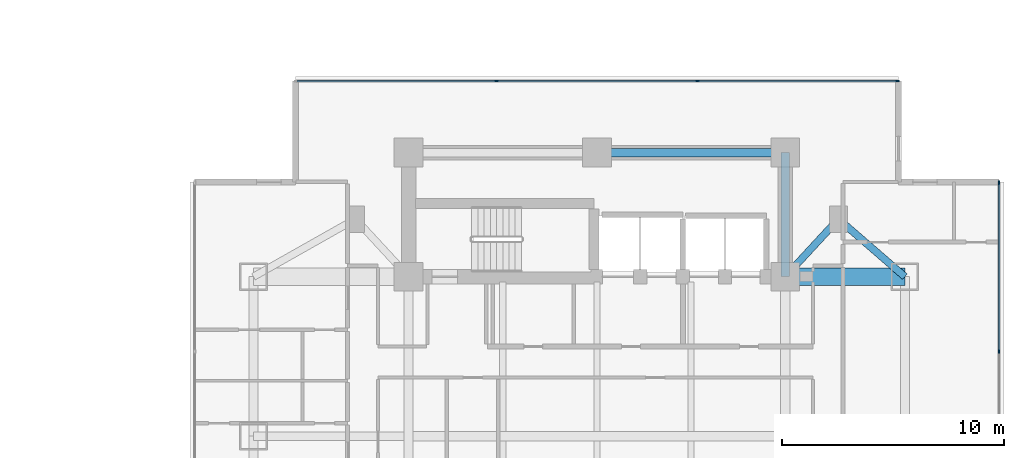
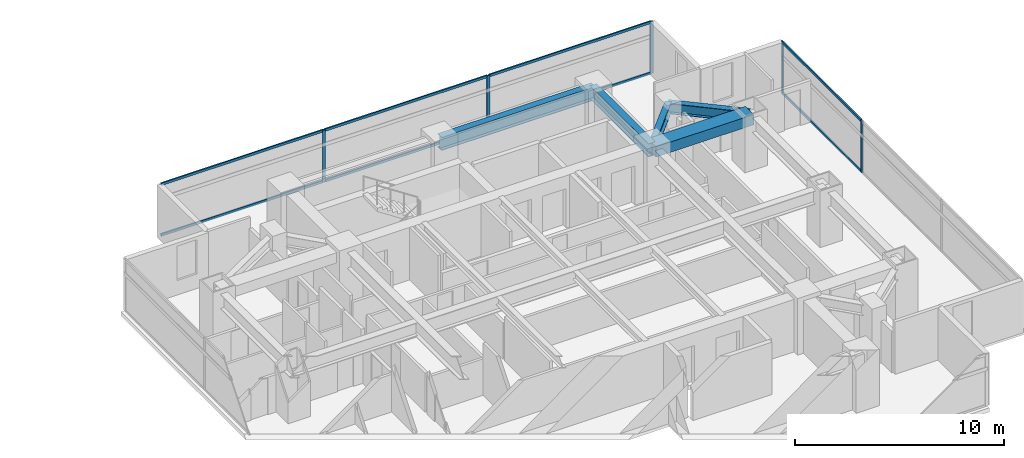
# One storey, part 10 of 24: 13 members, 5 beams, 2 elements without a shape of their own.
"""IFC4 building model written with IfcOpenShell, lengths in metres."""

from ifc_helpers import new_model, si_unit, direction, frame, origin, origin_2d, place, context, subcontext, project, spatial, rectangle, i_section, extrude, material, material_profile, profile_set, type_object, element, aggregate, save


model = new_model("IFC4")

# Units and contexts
model_context = context("Model", 3, precision=1e-05, world=origin(), true_north=direction((0.0, 1.0)))
body_context = subcontext(model_context, "Body", "Model", "MODEL_VIEW")
ifc_project = project(units=[si_unit("LENGTHUNIT", "METRE"), si_unit("AREAUNIT", "SQUARE_METRE"), si_unit("VOLUMEUNIT", "CUBIC_METRE"), si_unit("PLANEANGLEUNIT", "RADIAN"), si_unit("MASSUNIT", "GRAM", prefix="KILO")], contexts=[model_context])

# Site, building, storey
site_placement = place(None, origin())
site = spatial("IfcSite", under=ifc_project, at=site_placement, CompositionType="ELEMENT")
building_placement = place(site_placement, origin())
building = spatial("IfcBuilding", under=site, at=building_placement, Name="Mirazonda Arch Towers", CompositionType="ELEMENT")
storey_placement = place(building_placement, frame((0.0, 0.0, 62.0)))
storey = spatial("IfcBuildingStorey", under=building, at=storey_placement, Name="L17", CompositionType="ELEMENT", Elevation=62.0)

# Beams
ifc_material_1 = material(Name="Steel ASTM A992 Grade 50", Category="steel")
ifc_material_profile_1 = material_profile(ifc_material_1, i_section(OverallWidth=0.324951171875, OverallDepth=0.615966796875, WebThickness=0.013916015625, FlangeThickness=0.021484375, at=origin_2d()), Name="W24X117")
ifc_profile_set_1 = profile_set([ifc_material_profile_1], Name="Steel ASTM A992 Grade 50")
beam_type_1 = type_object("IfcBeamType", Name="BM-INT-W24X117", PredefinedType="BEAM", material=ifc_profile_set_1)
beam_1_placement = place(storey_placement, frame((87.39990234375, 37.800048828125, 2.751953125), z_axis=(-0.678251444854, -0.734829897019, 0.0), x_axis=(0.734829897019, -0.678251444854, 0.0)))
element("IfcBeam", 1, at=beam_1_placement, inside=storey, type_object=beam_type_1, Name="L17 Floor Beam BM-T2-L17-PL-NE1", PredefinedType="BEAM", context=body_context, shape_type="SweptSolid", body=[
    extrude(i_section(OverallWidth=0.324951171875, OverallDepth=0.615966796875, WebThickness=0.013916015625, FlangeThickness=0.021484375, at=origin_2d()), origin(), (0.0, 0.0, 1.0), 3.538330078125),
])
beam_2_placement = place(storey_placement, frame((87.39990234375, 37.800048828125, 2.751953125), z_axis=(0.755676908098, -0.654944585876, 0.0), x_axis=(0.654944585876, 0.755676908098, 0.0)))
element("IfcBeam", 2, at=beam_2_placement, inside=storey, type_object=beam_type_1, Name="L17 Floor Beam BM-T2-L17-PL-NE2", PredefinedType="BEAM", context=body_context, shape_type="SweptSolid", body=[
    extrude(i_section(OverallWidth=0.324951171875, OverallDepth=0.615966796875, WebThickness=0.013916015625, FlangeThickness=0.021484375, at=origin_2d()), origin(), (0.0, 0.0, 1.0), 3.969970703125),
])
ifc_material_profile_2 = material_profile(ifc_material_1, i_section(OverallWidth=0.381103515625, OverallDepth=0.77294921875, WebThickness=0.0166015625, FlangeThickness=0.027099609375, at=origin_2d()), Name="W30X173")
ifc_profile_set_2 = profile_set([ifc_material_profile_2], Name="Steel ASTM A992 Grade 50")
beam_type_2 = type_object("IfcBeamType", Name="BM-INT-W30X173", PredefinedType="USERDEFINED", material=ifc_profile_set_2)
beam_3_placement = place(storey_placement, frame((76.5, 40.800048828125, 2.673583984375), z_axis=(1.0, 0.0, 0.0), x_axis=(0.0, 1.0, 0.0)))
element("IfcBeam", 3, at=beam_3_placement, inside=storey, type_object=beam_type_2, Name="L17 Floor Beam BM-T2-L17-CN2", ObjectType="GIRDER", PredefinedType="USERDEFINED", context=body_context, shape_type="SweptSolid", body=[
    extrude(i_section(OverallWidth=0.381103515625, OverallDepth=0.77294921875, WebThickness=0.0166015625, FlangeThickness=0.027099609375, at=origin_2d()), origin(), (0.0, 0.0, 1.0), 8.5),
])
beam_4_placement = place(storey_placement, frame((85.0, 35.199951171875, 2.673583984375), z_axis=(0.0, 1.0, 0.0), x_axis=(-1.0, 0.0, 0.0)))
element("IfcBeam", 4, at=beam_4_placement, inside=storey, type_object=beam_type_2, Name="L17 Floor Beam BM-T2-L17-CNE", ObjectType="GIRDER", PredefinedType="USERDEFINED", context=body_context, shape_type="SweptSolid", body=[
    extrude(i_section(OverallWidth=0.381103515625, OverallDepth=0.77294921875, WebThickness=0.0166015625, FlangeThickness=0.027099609375, at=origin_2d()), origin(), (0.0, 0.0, 1.0), 5.60009765625),
])
ifc_material_2 = material(Name="Concrete C60/75", Category="concrete")
ifc_material_profile_3 = material_profile(ifc_material_2, rectangle(XDim=0.800048828125, YDim=0.60009765625, at=origin_2d()), Name="RCCB800x600")
ifc_profile_set_3 = profile_set([ifc_material_profile_3], Name="Concrete C60/75")
beam_type_3 = type_object("IfcBeamType", Name="CB-INT-RCCB800x600", PredefinedType="SPANDREL", material=ifc_profile_set_3)
beam_5_placement = place(storey_placement, frame((85.0, 35.199951171875, 2.760009765625), z_axis=(1.0, 0.0, 0.0), x_axis=(0.0, 1.0, 0.0)))
element("IfcBeam", 5, at=beam_5_placement, inside=storey, type_object=beam_type_3, Name="L17 Floor Beam CBC-T2-L17-NE", PredefinedType="SPANDREL", context=body_context, shape_type="SweptSolid", body=[
    extrude(rectangle(XDim=0.800048828125, YDim=0.60009765625, at=origin_2d()), origin(), (0.0, 0.0, 1.0), 5.39990234375),
])

# Curtain wall, members
ifc_material_3 = material(Name="Anodised Aluminium and Low-E Glass", Category="aluminium")
curtain_wall_type = type_object("IfcCurtainWallType", Name="CW-HTL-UNIT", PredefinedType="NOTDEFINED", material=ifc_material_3)
curtain_wall_1_placement = place(storey_placement, origin())
curtain_wall_1 = element("IfcCurtainWall", 6, at=curtain_wall_1_placement, inside=storey, type_object=curtain_wall_type, Name="L17 T2 E Facade CW-L17-T2-E", PredefinedType="NOTDEFINED")
ifc_material_4 = material(Name="Anodised Aluminium Alloy", Category="aluminium")
ifc_material_profile_4 = material_profile(ifc_material_4, rectangle(XDim=0.074951171875, YDim=0.1650390625, at=origin_2d()), Name="ALU-MULL-75x165")
ifc_profile_set_4 = profile_set([ifc_material_profile_4], Name="Anodised Aluminium Alloy")
member_type_1 = type_object("IfcMemberType", Name="MULL-CW-HTL-UNIT", PredefinedType="MULLION", material=ifc_profile_set_4)
member_1_placement = place(storey_placement, frame((94.654052734375, 31.82666015625, 0.0), z_axis=(0.0, 0.0, 1.0), x_axis=(-1.0, 0.0, 0.0)))
member_1 = element("IfcMember", 7, at=member_1_placement, type_object=member_type_1, Name="CW-112 mullion 3", PredefinedType="MULLION", context=body_context, shape_type="SweptSolid", body=[
    extrude(rectangle(XDim=0.074951171875, YDim=0.1650390625, at=origin_2d()), origin(), (0.0, 0.0, 1.0), 3.0400390625),
])
member_2_placement = place(storey_placement, frame((94.654052734375, 39.4423828125, 0.0), z_axis=(0.0, 0.0, 1.0), x_axis=(-1.0, 0.0, 0.0)))
member_2 = element("IfcMember", 8, at=member_2_placement, type_object=member_type_1, Name="CW-112 mullion 4", PredefinedType="MULLION", context=body_context, shape_type="SweptSolid", body=[
    extrude(rectangle(XDim=0.074951171875, YDim=0.1650390625, at=origin_2d()), origin(), (0.0, 0.0, 1.0), 3.0400390625),
])

curtain_wall_2_placement = place(storey_placement, origin())
curtain_wall_2 = element("IfcCurtainWall", 9, at=curtain_wall_2_placement, inside=storey, type_object=curtain_wall_type, Name="L17 T2 N Facade CW-L17-T2-N", PredefinedType="NOTDEFINED")
member_3_placement = place(storey_placement, frame((71.964111328125, 44.02587890625, 0.0), z_axis=(0.0, 0.0, 1.0), x_axis=(0.0, 1.0, 0.0)))
member_3 = element("IfcMember", 10, at=member_3_placement, type_object=member_type_1, Name="CW-112 mullion 2", PredefinedType="MULLION", context=body_context, shape_type="SweptSolid", body=[
    extrude(rectangle(XDim=0.074951171875, YDim=0.1650390625, at=origin_2d()), origin(), (0.0, 0.0, 1.0), 3.0400390625),
])
member_4_placement = place(storey_placement, frame((81.035888671875, 44.02587890625, 0.0), z_axis=(0.0, 0.0, 1.0), x_axis=(0.0, 1.0, 0.0)))
member_4 = element("IfcMember", 11, at=member_4_placement, type_object=member_type_1, Name="CW-112 mullion 3", PredefinedType="MULLION", context=body_context, shape_type="SweptSolid", body=[
    extrude(rectangle(XDim=0.074951171875, YDim=0.1650390625, at=origin_2d()), origin(), (0.0, 0.0, 1.0), 3.0400390625),
])
member_5_placement = place(storey_placement, frame((90.070556640625, 44.02587890625, 0.0), z_axis=(0.0, 0.0, 1.0), x_axis=(0.0, 1.0, 0.0)))
member_5 = element("IfcMember", 12, at=member_5_placement, type_object=member_type_1, Name="CW-112 mullion 4", PredefinedType="MULLION", context=body_context, shape_type="SweptSolid", body=[
    extrude(rectangle(XDim=0.074951171875, YDim=0.1650390625, at=origin_2d()), origin(), (0.0, 0.0, 1.0), 3.0400390625),
])

# Member
ifc_material_profile_5 = material_profile(ifc_material_4, rectangle(XDim=0.074951171875, YDim=0.14501953125, at=origin_2d()), Name="ALU-TRAN-75x145")
ifc_profile_set_5 = profile_set([ifc_material_profile_5], Name="Anodised Aluminium Alloy")
member_type_2 = type_object("IfcMemberType", Name="TRAN-CW-HTL-UNIT", PredefinedType="USERDEFINED", material=ifc_profile_set_5)
member_6_placement = place(storey_placement, frame((94.654052734375, 31.864013671875, 0.03759765625), z_axis=(0.0, 1.0, 0.0), x_axis=(-1.0, 0.0, 0.0)))
member_6 = element("IfcMember", 13, at=member_6_placement, type_object=member_type_2, Name="CW-112 transom 3.1", ObjectType="TRANSOM", PredefinedType="USERDEFINED", context=body_context, shape_type="SweptSolid", body=[
    extrude(rectangle(XDim=0.074951171875, YDim=0.14501953125, at=origin_2d()), origin(), (0.0, 0.0, 1.0), 7.540771484375),
])

member_7_placement = place(storey_placement, frame((94.654052734375, 31.864013671875, 3.00244140625), z_axis=(0.0, 1.0, 0.0), x_axis=(-1.0, 0.0, 0.0)))
member_7 = element("IfcMember", 14, at=member_7_placement, type_object=member_type_2, Name="CW-112 transom 3.2", ObjectType="TRANSOM", PredefinedType="USERDEFINED", context=body_context, shape_type="SweptSolid", body=[
    extrude(rectangle(XDim=0.074951171875, YDim=0.14501953125, at=origin_2d()), origin(), (0.0, 0.0, 1.0), 7.540771484375),
])

aggregate(curtain_wall_1, [member_1, member_2, member_6, member_7])

member_8_placement = place(storey_placement, frame((62.967041015625, 44.02587890625, 0.03759765625), z_axis=(1.0, 0.0, 0.0), x_axis=(0.0, 1.0, 0.0)))
member_8 = element("IfcMember", 15, at=member_8_placement, type_object=member_type_2, Name="CW-112 transom 1.1", ObjectType="TRANSOM", PredefinedType="USERDEFINED", context=body_context, shape_type="SweptSolid", body=[
    extrude(rectangle(XDim=0.074951171875, YDim=0.14501953125, at=origin_2d()), origin(), (0.0, 0.0, 1.0), 8.95947265625),
])

member_9_placement = place(storey_placement, frame((62.967041015625, 44.02587890625, 3.00244140625), z_axis=(1.0, 0.0, 0.0), x_axis=(0.0, 1.0, 0.0)))
member_9 = element("IfcMember", 16, at=member_9_placement, type_object=member_type_2, Name="CW-112 transom 1.2", ObjectType="TRANSOM", PredefinedType="USERDEFINED", context=body_context, shape_type="SweptSolid", body=[
    extrude(rectangle(XDim=0.074951171875, YDim=0.14501953125, at=origin_2d()), origin(), (0.0, 0.0, 1.0), 8.95947265625),
])

member_10_placement = place(storey_placement, frame((72.00146484375, 44.02587890625, 0.03759765625), z_axis=(1.0, 0.0, 0.0), x_axis=(0.0, 1.0, 0.0)))
member_10 = element("IfcMember", 17, at=member_10_placement, type_object=member_type_2, Name="CW-112 transom 2.1", ObjectType="TRANSOM", PredefinedType="USERDEFINED", context=body_context, shape_type="SweptSolid", body=[
    extrude(rectangle(XDim=0.074951171875, YDim=0.14501953125, at=origin_2d()), origin(), (0.0, 0.0, 1.0), 8.9970703125),
])

member_11_placement = place(storey_placement, frame((72.00146484375, 44.02587890625, 3.00244140625), z_axis=(1.0, 0.0, 0.0), x_axis=(0.0, 1.0, 0.0)))
member_11 = element("IfcMember", 18, at=member_11_placement, type_object=member_type_2, Name="CW-112 transom 2.2", ObjectType="TRANSOM", PredefinedType="USERDEFINED", context=body_context, shape_type="SweptSolid", body=[
    extrude(rectangle(XDim=0.074951171875, YDim=0.14501953125, at=origin_2d()), origin(), (0.0, 0.0, 1.0), 8.9970703125),
])

member_12_placement = place(storey_placement, frame((81.073486328125, 44.02587890625, 0.03759765625), z_axis=(1.0, 0.0, 0.0), x_axis=(0.0, 1.0, 0.0)))
member_12 = element("IfcMember", 19, at=member_12_placement, type_object=member_type_2, Name="CW-112 transom 3.1", ObjectType="TRANSOM", PredefinedType="USERDEFINED", context=body_context, shape_type="SweptSolid", body=[
    extrude(rectangle(XDim=0.074951171875, YDim=0.14501953125, at=origin_2d()), origin(), (0.0, 0.0, 1.0), 8.95947265625),
])

member_13_placement = place(storey_placement, frame((81.073486328125, 44.02587890625, 3.00244140625), z_axis=(1.0, 0.0, 0.0), x_axis=(0.0, 1.0, 0.0)))
member_13 = element("IfcMember", 20, at=member_13_placement, type_object=member_type_2, Name="CW-112 transom 3.2", ObjectType="TRANSOM", PredefinedType="USERDEFINED", context=body_context, shape_type="SweptSolid", body=[
    extrude(rectangle(XDim=0.074951171875, YDim=0.14501953125, at=origin_2d()), origin(), (0.0, 0.0, 1.0), 8.95947265625),
])

aggregate(curtain_wall_2, [member_3, member_4, member_5, member_8, member_9, member_10, member_11, member_12, member_13])

save(model, "model.ifc")
